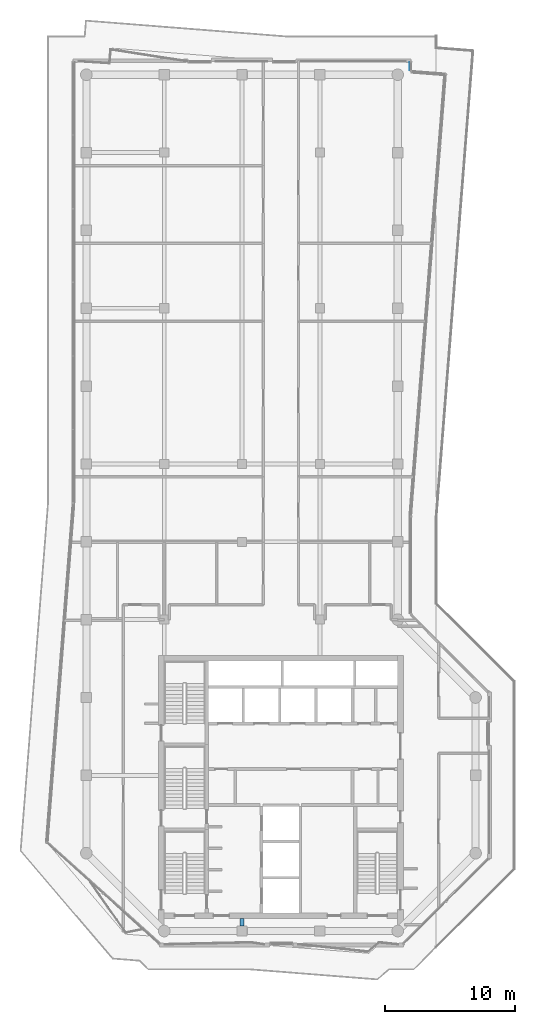
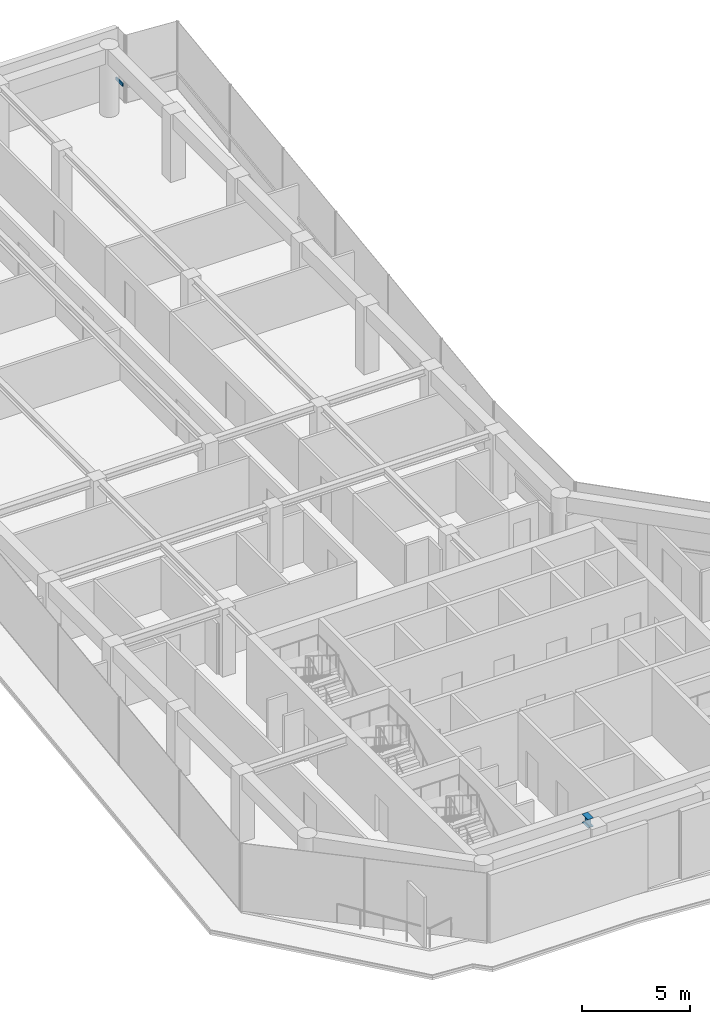
# One storey, part 16 of 23: 1 beam, 1 member, 1 element without a shape of its own.
"""IFC4 building model written with IfcOpenShell, lengths in metres."""

from ifc_helpers import new_model, si_unit, direction, frame, origin, origin_2d, place, context, subcontext, project, spatial, rectangle, i_section, extrude, material, layer, layer_set, material_profile, profile_set, type_object, element, aggregate, save


model = new_model("IFC4")

# Units and contexts
model_context = context("Model", 3, precision=1e-05, world=origin(), true_north=direction((0.0, 1.0)))
body_context = subcontext(model_context, "Body", "Model", "MODEL_VIEW")
ifc_project = project(units=[si_unit("LENGTHUNIT", "METRE"), si_unit("AREAUNIT", "SQUARE_METRE"), si_unit("VOLUMEUNIT", "CUBIC_METRE"), si_unit("PLANEANGLEUNIT", "RADIAN"), si_unit("MASSUNIT", "GRAM", prefix="KILO")], contexts=[model_context])

# Site, building, storey
site_placement = place(None, origin())
site = spatial("IfcSite", under=ifc_project, at=site_placement, CompositionType="ELEMENT")
building_placement = place(site_placement, origin())
building = spatial("IfcBuilding", under=site, at=building_placement, Name="Welwitschia Terrace Campus", CompositionType="ELEMENT")
storey_placement = place(building_placement, frame((0.0, 0.0, 247.39990234375)))
storey = spatial("IfcBuildingStorey", under=building, at=storey_placement, Name="L55", CompositionType="ELEMENT", Elevation=247.39990234375)

# Beam
ifc_material_1 = material(Name="Steel S355", Category="steel")
ifc_material_profile_1 = material_profile(ifc_material_1, i_section(OverallWidth=0.300048828125, OverallDepth=0.489990234375, WebThickness=0.011962890625, FlangeThickness=0.02294921875, FilletRadius=0.027099609375, at=origin_2d()))
ifc_profile_set_1 = profile_set([ifc_material_profile_1], Name="Steel S355")
beam_type = type_object("IfcBeamType", Name="Primary beam HE 500 A", PredefinedType="BEAM", material=ifc_profile_set_1)
beam_placement = place(storey_placement, frame((12.0, 4.400390625, 3.60498046875), z_axis=(0.0, 1.0, 0.0), x_axis=(-1.0, 0.0, 0.0)))
element("IfcBeam", 1, at=beam_placement, inside=storey, type_object=beam_type, Name="Primary beam PB5", PredefinedType="BEAM", context=body_context, shape_type="SweptSolid", body=[
    extrude(i_section(OverallWidth=0.300048828125, OverallDepth=0.489990234375, WebThickness=0.011962890625, FlangeThickness=0.02294921875, FilletRadius=0.027099609375, at=origin_2d()), origin(), (0.0, 0.0, 1.0), 0.549560546875),
])

# Curtain wall, member
ifc_material_2 = material(Name="Bronze anodised aluminium", Category="aluminium")
ifc_layer = layer(ifc_material_2, 0.1201171875)
ifc_layer_set = layer_set([ifc_layer], Name="Bronze anodised aluminium")
curtain_wall_type = type_object("IfcCurtainWallType", Name="Curtain wall CW2 tower 6000", PredefinedType="NOTDEFINED", material=ifc_layer_set)
curtain_wall_placement = place(storey_placement, origin())
curtain_wall = element("IfcCurtainWall", 2, at=curtain_wall_placement, inside=storey, type_object=curtain_wall_type, Name="CW L55.10.0", PredefinedType="NOTDEFINED")
ifc_material_3 = material(Name="Bronze anodised aluminium", Category="aluminium")
ifc_material_profile_2 = material_profile(ifc_material_3, rectangle(XDim=0.06005859375, YDim=0.14990234375, at=origin_2d()))
ifc_profile_set_2 = profile_set([ifc_material_profile_2], Name="Bronze anodised aluminium")
member_type = type_object("IfcMemberType", Name="Transom 60x150", PredefinedType="USERDEFINED", material=ifc_profile_set_2)
member_placement = place(storey_placement, frame((24.93994140625, 70.326904296875, 1.0), z_axis=(0.0, 1.0, 0.0), x_axis=(-1.0, 0.0, 0.0)))
member = element("IfcMember", 3, at=member_placement, type_object=member_type, Name="Transom L55.10.0", ObjectType="TRANSOM", PredefinedType="USERDEFINED", context=body_context, shape_type="SweptSolid", body=[
    extrude(rectangle(XDim=0.06005859375, YDim=0.14990234375, at=origin_2d()), origin(), (0.0, 0.0, 1.0), 0.64306640625),
])
aggregate(curtain_wall, [member])

save(model, "model.ifc")
